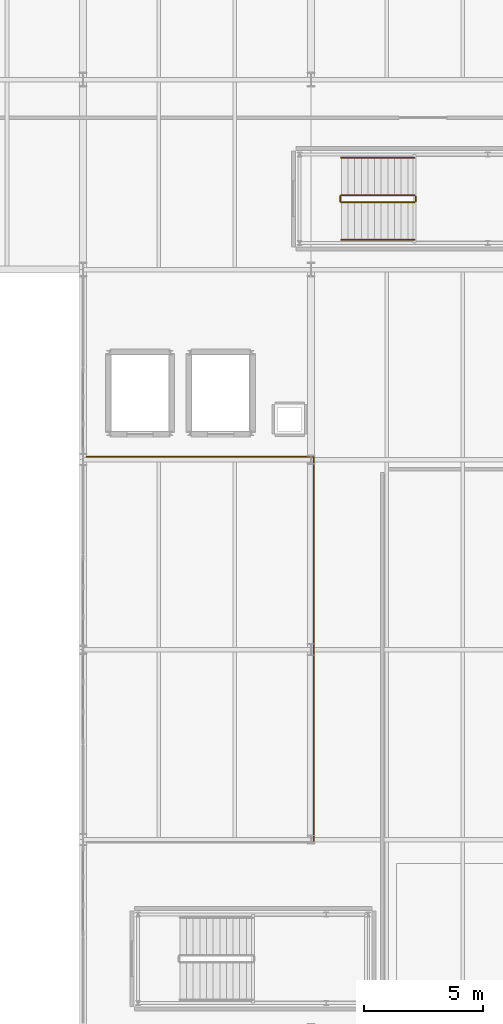
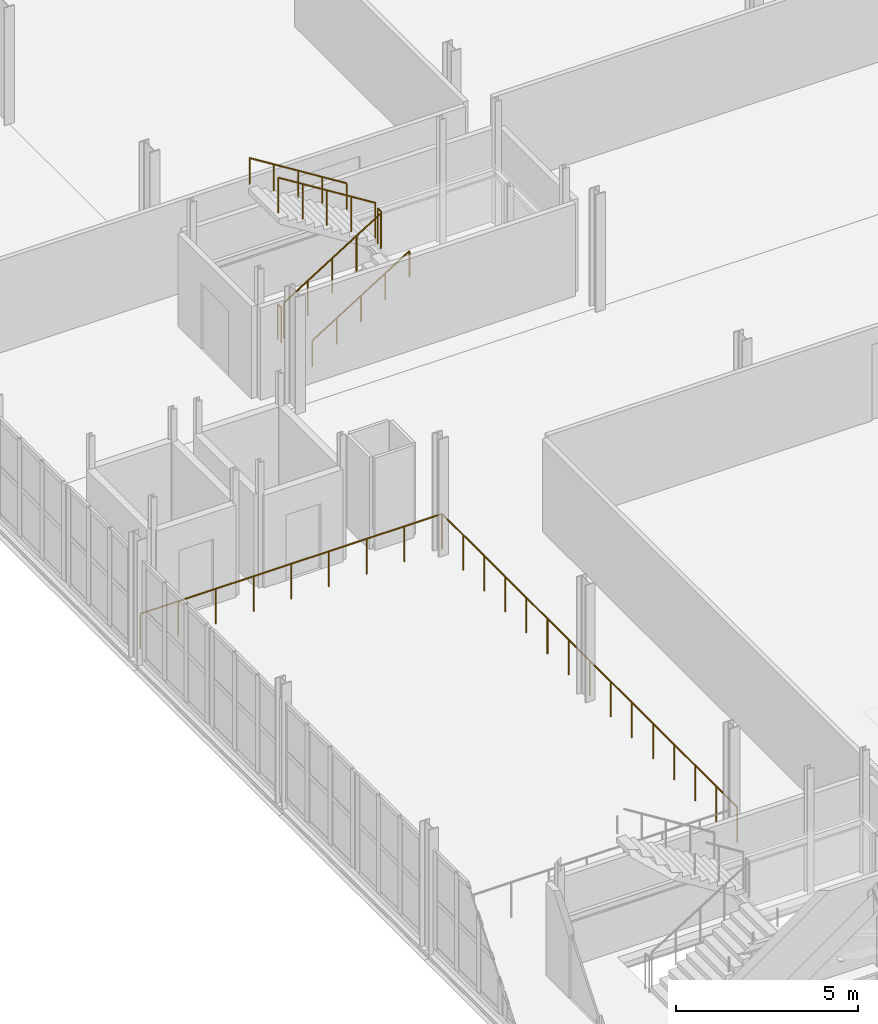
# One storey, part 71 of 78: 8 railings.
"""IFC4 building model written with IfcOpenShell, lengths in metres."""

from ifc_helpers import new_model, si_unit, direction, frame, origin, origin_2d, place, context, subcontext, project, spatial, circle, extrude, material, type_object, element, save


model = new_model("IFC4")

# Units and contexts
model_context = context("Model", 3, precision=1e-05, world=origin(), true_north=direction((0.0, 1.0)))
body_context = subcontext(model_context, "Body", "Model", "MODEL_VIEW")
ifc_project = project(units=[si_unit("LENGTHUNIT", "METRE"), si_unit("AREAUNIT", "SQUARE_METRE"), si_unit("VOLUMEUNIT", "CUBIC_METRE"), si_unit("PLANEANGLEUNIT", "RADIAN"), si_unit("MASSUNIT", "GRAM", prefix="KILO")], contexts=[model_context])

# Site, building, storey
site_placement = place(None, origin())
site = spatial("IfcSite", under=ifc_project, at=site_placement, CompositionType="ELEMENT")
building_placement = place(site_placement, origin())
building = spatial("IfcBuilding", under=site, at=building_placement, Name="Alderhovde Museum", CompositionType="ELEMENT")
storey_placement = place(building_placement, frame((0.0, 0.0, 4.5)))
storey = spatial("IfcBuildingStorey", under=building, at=storey_placement, Name="L01", CompositionType="ELEMENT", Elevation=4.5)

# Railings
ifc_material_1 = material(Name="Painted Steel S355 Guardrail", Category="steel")
railing_type_1 = type_object("IfcRailingType", Name="RL-GUARD-1200", PredefinedType="GUARDRAIL", material=ifc_material_1)
railing_1_placement = place(storey_placement, frame((30.080078125, 82.830078125, 0.175048828125)))
element("IfcRailing", 1, at=railing_1_placement, inside=storey, type_object=railing_type_1, Name="L01 ST2 stair guard 1", PredefinedType="GUARDRAIL", context=body_context, shape_type="SweptSolid", body=[
    extrude(circle(Radius=0.02392578125, at=origin_2d()), frame((0.0, 0.0, 1.17578125), z_axis=(0.847979421464, 0.0, 0.530029150871), x_axis=(0.0, 1.0, 0.0)), (0.0, 0.0, 1.0), 3.632080078125),
    extrude(circle(Radius=0.02099609375, at=origin_2d()), origin(), (0.0, 0.0, 1.0), 1.15185546875),
    extrude(circle(Radius=0.02099609375, at=origin_2d()), frame((0.77001953125, 0.0, 0.481201171875)), (0.0, 0.0, 1.0), 1.15185546875),
    extrude(circle(Radius=0.02099609375, at=origin_2d()), frame((1.5400390625, 0.0, 0.96240234375)), (0.0, 0.0, 1.0), 1.15185546875),
    extrude(circle(Radius=0.02099609375, at=origin_2d()), frame((2.309814453125, 0.0, 1.44384765625)), (0.0, 0.0, 1.0), 1.15185546875),
    extrude(circle(Radius=0.02099609375, at=origin_2d()), frame((3.079833984375, 0.0, 1.925048828125)), (0.0, 0.0, 1.0), 1.15185546875),
])
railing_2_placement = place(storey_placement, frame((33.2099609375, 82.8798828125, 2.10009765625)))
element("IfcRailing", 2, at=railing_2_placement, inside=storey, type_object=railing_type_1, Name="L01 ST2 stair guard 2", PredefinedType="GUARDRAIL", context=body_context, shape_type="SweptSolid", body=[
    extrude(circle(Radius=0.02392578125, at=origin_2d()), frame((0.0, 0.0, 1.17578125), z_axis=(0.0, 1.0, 0.0), x_axis=(-1.0, 0.0, 0.0)), (0.0, 0.0, 1.0), 0.2001953125),
    extrude(circle(Radius=0.02099609375, at=origin_2d()), origin(), (0.0, 0.0, 1.0), 1.15185546875),
    extrude(circle(Radius=0.02099609375, at=origin_2d()), frame((0.0, 0.2001953125, 0.0)), (0.0, 0.0, 1.0), 1.15185546875),
])
railing_3_placement = place(storey_placement, frame((33.159912109375, 83.1298828125, 2.27490234375)))
element("IfcRailing", 3, at=railing_3_placement, inside=storey, type_object=railing_type_1, Name="L01 ST2 stair guard 3", PredefinedType="GUARDRAIL", context=body_context, shape_type="SweptSolid", body=[
    extrude(circle(Radius=0.02392578125, at=origin_2d()), frame((0.0, 0.0, 1.17578125), z_axis=(-0.847979421464, 0.0, 0.530029150871), x_axis=(0.0, -1.0, 0.0)), (0.0, 0.0, 1.0), 3.632080078125),
    extrude(circle(Radius=0.02099609375, at=origin_2d()), origin(), (0.0, 0.0, 1.0), 1.15185546875),
    extrude(circle(Radius=0.02099609375, at=origin_2d()), frame((-0.77001953125, 0.0, 0.481201171875)), (0.0, 0.0, 1.0), 1.15185546875),
    extrude(circle(Radius=0.02099609375, at=origin_2d()), frame((-1.5400390625, 0.0, 0.96240234375)), (0.0, 0.0, 1.0), 1.15185546875),
    extrude(circle(Radius=0.02099609375, at=origin_2d()), frame((-2.309814453125, 0.0, 1.44384765625)), (0.0, 0.0, 1.0), 1.15185546875),
    extrude(circle(Radius=0.02099609375, at=origin_2d()), frame((-3.079833984375, 0.0, 1.925048828125)), (0.0, 0.0, 1.0), 1.15185546875),
])
railing_4_placement = place(storey_placement, frame((30.030029296875, 82.8798828125, 0.0)))
element("IfcRailing", 4, at=railing_4_placement, inside=storey, type_object=railing_type_1, Name="L01 ST2 stair guard 4", PredefinedType="GUARDRAIL", context=body_context, shape_type="SweptSolid", body=[
    extrude(circle(Radius=0.02392578125, at=origin_2d()), frame((0.0, 0.0, 1.17578125), z_axis=(0.0, 1.0, 0.0), x_axis=(-1.0, 0.0, 0.0)), (0.0, 0.0, 1.0), 0.2001953125),
    extrude(circle(Radius=0.02099609375, at=origin_2d()), origin(), (0.0, 0.0, 1.0), 1.15185546875),
    extrude(circle(Radius=0.02099609375, at=origin_2d()), frame((0.0, 0.2001953125, 0.0)), (0.0, 0.0, 1.0), 1.15185546875),
])
railing_5_placement = place(storey_placement, frame((28.919921875, 55.8798828125, 0.0)))
element("IfcRailing", 5, at=railing_5_placement, inside=storey, type_object=railing_type_1, Name="L01 Entrance Foyer Void Guardrail E", PredefinedType="GUARDRAIL", context=body_context, shape_type="SweptSolid", body=[
    extrude(circle(Radius=0.02392578125, at=origin_2d()), frame((0.0, 0.0, 1.17578125), z_axis=(0.0, 1.0, 0.0), x_axis=(-1.0, 0.0, 0.0)), (0.0, 0.0, 1.0), 16.240234375),
    extrude(circle(Radius=0.02099609375, at=origin_2d()), origin(), (0.0, 0.0, 1.0), 1.15185546875),
    extrude(circle(Radius=0.02099609375, at=origin_2d()), frame((0.0, 1.159912109375, 0.0)), (0.0, 0.0, 1.0), 1.15185546875),
    extrude(circle(Radius=0.02099609375, at=origin_2d()), frame((0.0, 2.320068359375, 0.0)), (0.0, 0.0, 1.0), 1.15185546875),
    extrude(circle(Radius=0.02099609375, at=origin_2d()), frame((0.0, 3.47998046875, 0.0)), (0.0, 0.0, 1.0), 1.15185546875),
    extrude(circle(Radius=0.02099609375, at=origin_2d()), frame((0.0, 4.64013671875, 0.0)), (0.0, 0.0, 1.0), 1.15185546875),
    extrude(circle(Radius=0.02099609375, at=origin_2d()), frame((0.0, 5.800048828125, 0.0)), (0.0, 0.0, 1.0), 1.15185546875),
    extrude(circle(Radius=0.02099609375, at=origin_2d()), frame((0.0, 6.960205078125, 0.0)), (0.0, 0.0, 1.0), 1.15185546875),
    extrude(circle(Radius=0.02099609375, at=origin_2d()), frame((0.0, 8.1201171875, 0.0)), (0.0, 0.0, 1.0), 1.15185546875),
    extrude(circle(Radius=0.02099609375, at=origin_2d()), frame((0.0, 9.280029296875, 0.0)), (0.0, 0.0, 1.0), 1.15185546875),
    extrude(circle(Radius=0.02099609375, at=origin_2d()), frame((0.0, 10.440185546875, 0.0)), (0.0, 0.0, 1.0), 1.15185546875),
    extrude(circle(Radius=0.02099609375, at=origin_2d()), frame((0.0, 11.60009765625, 0.0)), (0.0, 0.0, 1.0), 1.15185546875),
    extrude(circle(Radius=0.02099609375, at=origin_2d()), frame((0.0, 12.76025390625, 0.0)), (0.0, 0.0, 1.0), 1.15185546875),
    extrude(circle(Radius=0.02099609375, at=origin_2d()), frame((0.0, 13.920166015625, 0.0)), (0.0, 0.0, 1.0), 1.15185546875),
    extrude(circle(Radius=0.02099609375, at=origin_2d()), frame((0.0, 15.080322265625, 0.0)), (0.0, 0.0, 1.0), 1.15185546875),
    extrude(circle(Radius=0.02099609375, at=origin_2d()), frame((0.0, 16.240234375, 0.0)), (0.0, 0.0, 1.0), 1.15185546875),
])
railing_6_placement = place(storey_placement, frame((19.35009765625, 72.1201171875, 0.0)))
element("IfcRailing", 6, at=railing_6_placement, inside=storey, type_object=railing_type_1, Name="L01 Entrance Foyer Void Guardrail N", PredefinedType="GUARDRAIL", context=body_context, shape_type="SweptSolid", body=[
    extrude(circle(Radius=0.02392578125, at=origin_2d()), frame((0.0, 0.0, 1.17578125), z_axis=(1.0, 0.0, 0.0), x_axis=(0.0, 1.0, 0.0)), (0.0, 0.0, 1.0), 9.56982421875),
    extrude(circle(Radius=0.02099609375, at=origin_2d()), origin(), (0.0, 0.0, 1.0), 1.15185546875),
    extrude(circle(Radius=0.02099609375, at=origin_2d()), frame((1.1962890625, 0.0, 0.0)), (0.0, 0.0, 1.0), 1.15185546875),
    extrude(circle(Radius=0.02099609375, at=origin_2d()), frame((2.392578125, 0.0, 0.0)), (0.0, 0.0, 1.0), 1.15185546875),
    extrude(circle(Radius=0.02099609375, at=origin_2d()), frame((3.588623046875, 0.0, 0.0)), (0.0, 0.0, 1.0), 1.15185546875),
    extrude(circle(Radius=0.02099609375, at=origin_2d()), frame((4.784912109375, 0.0, 0.0)), (0.0, 0.0, 1.0), 1.15185546875),
    extrude(circle(Radius=0.02099609375, at=origin_2d()), frame((5.981201171875, 0.0, 0.0)), (0.0, 0.0, 1.0), 1.15185546875),
    extrude(circle(Radius=0.02099609375, at=origin_2d()), frame((7.17724609375, 0.0, 0.0)), (0.0, 0.0, 1.0), 1.15185546875),
    extrude(circle(Radius=0.02099609375, at=origin_2d()), frame((8.37353515625, 0.0, 0.0)), (0.0, 0.0, 1.0), 1.15185546875),
    extrude(circle(Radius=0.02099609375, at=origin_2d()), frame((9.56982421875, 0.0, 0.0)), (0.0, 0.0, 1.0), 1.15185546875),
])
ifc_material_2 = material(Name="Brushed Stainless Steel Handrail", Category="steel")
railing_type_2 = type_object("IfcRailingType", Name="RL-HANDRAIL-900", PredefinedType="HANDRAIL", material=ifc_material_2)
railing_7_placement = place(storey_placement, frame((30.080078125, 81.25, 0.175048828125)))
element("IfcRailing", 7, at=railing_7_placement, inside=storey, type_object=railing_type_2, Name="L01 ST2 stair handrail 1", PredefinedType="HANDRAIL", context=body_context, shape_type="SweptSolid", body=[
    extrude(circle(Radius=0.02392578125, at=origin_2d()), frame((0.0, 0.0, 0.8759765625), z_axis=(0.847979421464, 0.0, 0.530029150871), x_axis=(0.0, 1.0, 0.0)), (0.0, 0.0, 1.0), 3.632080078125),
    extrude(circle(Radius=0.02099609375, at=origin_2d()), origin(), (0.0, 0.0, 1.0), 0.851806640625),
    extrude(circle(Radius=0.02099609375, at=origin_2d()), frame((0.77001953125, 0.0, 0.481201171875)), (0.0, 0.0, 1.0), 0.851806640625),
    extrude(circle(Radius=0.02099609375, at=origin_2d()), frame((1.5400390625, 0.0, 0.96240234375)), (0.0, 0.0, 1.0), 0.851806640625),
    extrude(circle(Radius=0.02099609375, at=origin_2d()), frame((2.309814453125, 0.0, 1.44384765625)), (0.0, 0.0, 1.0), 0.851806640625),
    extrude(circle(Radius=0.02099609375, at=origin_2d()), frame((3.079833984375, 0.0, 1.925048828125)), (0.0, 0.0, 1.0), 0.851806640625),
])
railing_8_placement = place(storey_placement, frame((33.159912109375, 84.7099609375, 2.27490234375)))
element("IfcRailing", 8, at=railing_8_placement, inside=storey, type_object=railing_type_2, Name="L01 ST2 stair handrail 2", PredefinedType="HANDRAIL", context=body_context, shape_type="SweptSolid", body=[
    extrude(circle(Radius=0.02392578125, at=origin_2d()), frame((0.0, 0.0, 0.8759765625), z_axis=(-0.847979421464, 0.0, 0.530029150871), x_axis=(0.0, -1.0, 0.0)), (0.0, 0.0, 1.0), 3.632080078125),
    extrude(circle(Radius=0.02099609375, at=origin_2d()), origin(), (0.0, 0.0, 1.0), 0.851806640625),
    extrude(circle(Radius=0.02099609375, at=origin_2d()), frame((-0.77001953125, 0.0, 0.481201171875)), (0.0, 0.0, 1.0), 0.851806640625),
    extrude(circle(Radius=0.02099609375, at=origin_2d()), frame((-1.5400390625, 0.0, 0.96240234375)), (0.0, 0.0, 1.0), 0.851806640625),
    extrude(circle(Radius=0.02099609375, at=origin_2d()), frame((-2.309814453125, 0.0, 1.44384765625)), (0.0, 0.0, 1.0), 0.851806640625),
    extrude(circle(Radius=0.02099609375, at=origin_2d()), frame((-3.079833984375, 0.0, 1.925048828125)), (0.0, 0.0, 1.0), 0.851806640625),
])

save(model, "model.ifc")
